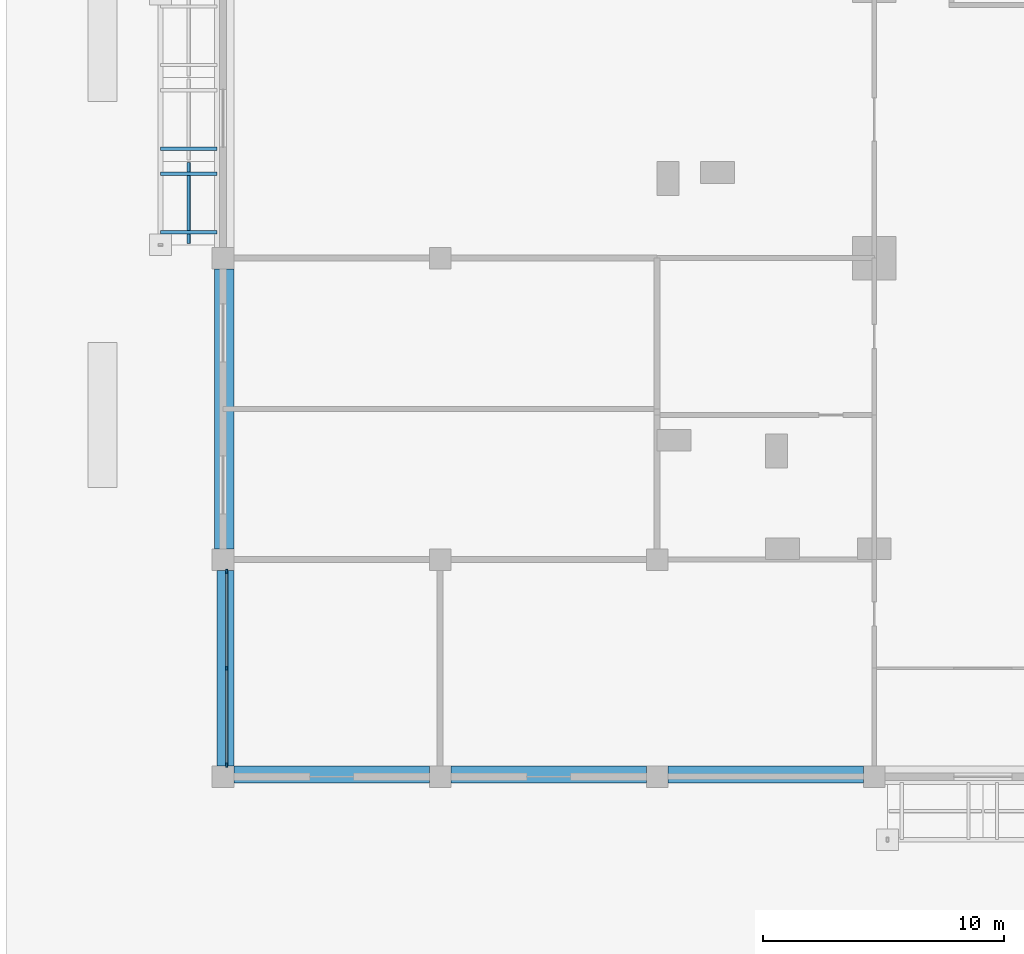
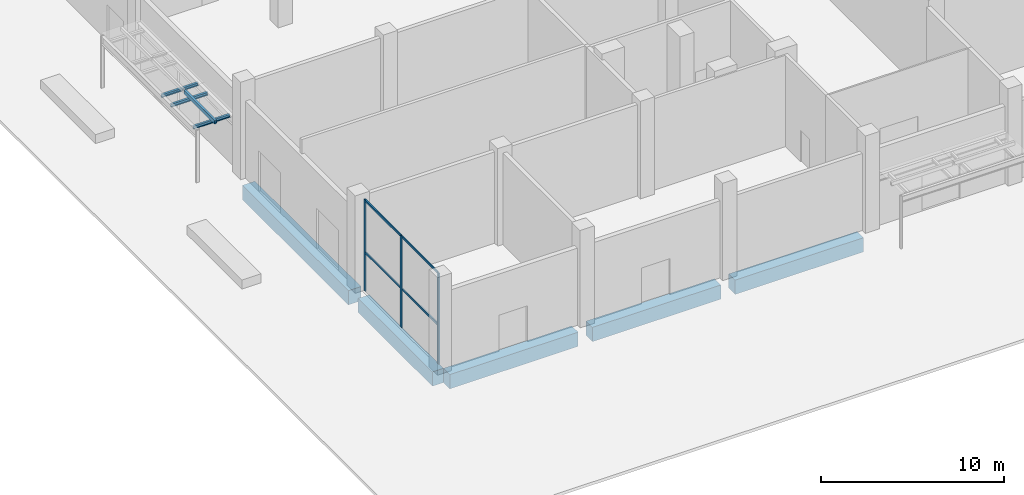
# One storey, part 20 of 39: 8 beams, 8 members, 1 element without a shape of its own.
"""IFC4 building model written with IfcOpenShell, lengths in metres."""

from ifc_helpers import new_model, si_unit, direction, frame, origin, origin_2d, place, context, subcontext, project, spatial, rectangle, hollow_rectangle, i_section, extrude, material, layer, layer_set, material_profile, profile_set, type_object, element, aggregate, save


model = new_model("IFC4")

# Units and contexts
model_context = context("Model", 3, precision=1e-05, world=origin(), true_north=direction((0.0, 1.0)))
body_context = subcontext(model_context, "Body", "Model", "MODEL_VIEW")
ifc_project = project(units=[si_unit("LENGTHUNIT", "METRE"), si_unit("AREAUNIT", "SQUARE_METRE"), si_unit("VOLUMEUNIT", "CUBIC_METRE"), si_unit("PLANEANGLEUNIT", "RADIAN"), si_unit("MASSUNIT", "GRAM", prefix="KILO")], contexts=[model_context])

# Site, building, storey
site_placement = place(None, origin())
site = spatial("IfcSite", under=ifc_project, at=site_placement, CompositionType="ELEMENT")
building_placement = place(site_placement, origin())
building = spatial("IfcBuilding", under=site, at=building_placement, Name="Brigalow Station Residences", CompositionType="ELEMENT")
storey_placement = place(building_placement, origin())
storey = spatial("IfcBuildingStorey", under=building, at=storey_placement, Name="L00", CompositionType="ELEMENT", Elevation=0.0)

# Beams
ifc_material_1 = material(Name="Steel Grade 300 to AS/NZS 3679.1", Category="steel")
ifc_material_profile_1 = material_profile(ifc_material_1, i_section(OverallWidth=0.133056640625, OverallDepth=0.203125, WebThickness=0.005859375, FlangeThickness=0.0078125, FilletRadius=0.0087890625, at=origin_2d()), Name="200UB25.4")
ifc_profile_set_1 = profile_set([ifc_material_profile_1], Name="Steel Grade 300 to AS/NZS 3679.1")
beam_type_1 = type_object("IfcBeamType", Name="CANOPY ARM 200UB25.4", PredefinedType="BEAM", material=ifc_profile_set_1)
for number, where, z_axis, x_axis, name in (
    (1, (-18.259521484375, 13.570068359375, 3.326416015625), (-1.0, 0.0, 0.0), (0.0, -1.0, 0.0), "L00/canopy-arm/W-exit-1-1"),
    (2, (-18.259521484375, 15.99658203125, 3.326416015625), (-1.0, 0.0, 0.0), (0.0, -1.0, 0.0), "L00/canopy-arm/W-exit-1-2"),
    (3, (-18.259521484375, 17.03662109375, 3.326416015625), (-1.0, 0.0, 0.0), (0.0, -1.0, 0.0), "L00/canopy-arm/W-exit-2-1"),
):
    element("IfcBeam", number, at=place(storey_placement, frame(where, z_axis=z_axis, x_axis=x_axis)), inside=storey, type_object=beam_type_1, Name=name, PredefinedType="BEAM", context=body_context, shape_type="SweptSolid", body=[
        extrude(i_section(OverallWidth=0.133056640625, OverallDepth=0.203125, WebThickness=0.005859375, FlangeThickness=0.0078125, FilletRadius=0.0087890625, at=origin_2d()), origin(), (0.0, 0.0, 1.0), 2.330810546875),
    ])

# Member
ifc_material_2 = material(Name="Steel Grade C450L0 to AS/NZS 1163", Category="steel")
ifc_material_profile_2 = material_profile(ifc_material_2, hollow_rectangle(XDim=0.14990234375, YDim=0.25, WallThickness=0.009033203125, InnerFilletRadius=0.013427734375, OuterFilletRadius=0.0224609375, at=origin_2d()), Name="250x150x9.0RHS")
ifc_profile_set_2 = profile_set([ifc_material_profile_2], Name="Steel Grade C450L0 to AS/NZS 1163")
member_type_1 = type_object("IfcMemberType", Name="CANOPY GLAZING RAIL 250x150x9.0RHS", PredefinedType="MEMBER", material=ifc_profile_set_2)
member_1_placement = place(storey_placement, frame((-19.425048828125, 13.110107421875, 3.552978515625), z_axis=(0.0, 1.0, 0.0), x_axis=(-1.0, 0.0, 0.0)))
element("IfcMember", 4, at=member_1_placement, inside=storey, type_object=member_type_1, Name="L00/canopy-rail/W-exit-1", PredefinedType="MEMBER", context=body_context, shape_type="SweptSolid", body=[
    extrude(hollow_rectangle(XDim=0.14990234375, YDim=0.25, WallThickness=0.009033203125, InnerFilletRadius=0.013427734375, OuterFilletRadius=0.0224609375, at=origin_2d()), origin(), (0.0, 0.0, 1.0), 3.3466796875),
])

# Beams
ifc_material_3 = material(Name="Concrete C65", Category="concrete")
ifc_material_profile_3 = material_profile(ifc_material_3, rectangle(XDim=0.699951171875, YDim=0.949951171875, at=origin_2d()), Name="RC700x950")
ifc_profile_set_3 = profile_set([ifc_material_profile_3], Name="Concrete C65")
beam_type_2 = type_object("IfcBeamType", Name="EDGE GIRDER 4.5 TO 9.9 M SPAN 700x950 C65", PredefinedType="BEAM", material=ifc_profile_set_3)
for number, where, z_axis, x_axis, name in (
    (5, (-17.550048828125, -8.89990234375, -0.876953125), (1.0, 0.0, 0.0), (0.0, 1.0, 0.0), "PODIUM EDGE GIRDER S1 L00"),
    (6, (-8.550048828125, -8.89990234375, -0.876953125), (1.0, 0.0, 0.0), (0.0, 1.0, 0.0), "PODIUM EDGE GIRDER S2 L00"),
    (7, (0.449951171875, -8.89990234375, -0.876953125), (1.0, 0.0, 0.0), (0.0, 1.0, 0.0), "PODIUM EDGE GIRDER S3 L00"),
    (8, (-17.89990234375, -8.550048828125, -0.876953125), (0.0, 1.0, 0.0), (-1.0, 0.0, 0.0), "PODIUM EDGE GIRDER W31 L00"),
):
    element("IfcBeam", number, at=place(storey_placement, frame(where, z_axis=z_axis, x_axis=x_axis)), inside=storey, type_object=beam_type_2, Name=name, PredefinedType="BEAM", context=body_context, shape_type="SweptSolid", body=[
        extrude(rectangle(XDim=0.699951171875, YDim=0.949951171875, at=origin_2d()), origin(), (0.0, 0.0, 1.0), 8.10009765625),
    ])
ifc_material_4 = material(Name="Concrete C65", Category="concrete")
ifc_material_profile_4 = material_profile(ifc_material_4, rectangle(XDim=0.800048828125, YDim=0.949951171875, at=origin_2d()), Name="RC800x950")
ifc_profile_set_4 = profile_set([ifc_material_profile_4], Name="Concrete C65")
beam_type_3 = type_object("IfcBeamType", Name="EDGE GIRDER OVER 9.9 M SPAN 800x950 C65", PredefinedType="BEAM", material=ifc_profile_set_4)
beam_placement = place(storey_placement, frame((-17.949951171875, 0.449951171875, -0.876953125), z_axis=(0.0, 1.0, 0.0), x_axis=(-1.0, 0.0, 0.0)))
element("IfcBeam", 9, at=beam_placement, inside=storey, type_object=beam_type_3, Name="PODIUM EDGE GIRDER W32 L00", PredefinedType="BEAM", context=body_context, shape_type="SweptSolid", body=[
    extrude(rectangle(XDim=0.800048828125, YDim=0.949951171875, at=origin_2d()), origin(), (0.0, 0.0, 1.0), 11.60009765625),
])

# Curtain wall, members
ifc_material_5 = material(Name="Aluminium", Category="aluminium")
ifc_layer = layer(ifc_material_5, 0.179931640625)
ifc_layer_set = layer_set([ifc_layer], Name="STATION CONCOURSE SHOPFRONT GLAZING CURTAIN WALL")
curtain_wall_type = type_object("IfcCurtainWallType", Name="STATION CONCOURSE SHOPFRONT GLAZING CURTAIN WALL", PredefinedType="NOTDEFINED", material=ifc_layer_set)
curtain_wall_placement = place(storey_placement, origin())
curtain_wall = element("IfcCurtainWall", 10, at=curtain_wall_placement, inside=storey, type_object=curtain_wall_type, Name="L00/cw/podium-W-L00-31-13", PredefinedType="NOTDEFINED")
ifc_material_6 = material(Name="Aluminium", Category="aluminium")
ifc_material_profile_5 = material_profile(ifc_material_6, rectangle(XDim=0.074951171875, YDim=0.179931640625, at=origin_2d()), Name="STATION CONCOURSE SHOPFRONT GLAZING MULLION 75x180")
ifc_profile_set_5 = profile_set([ifc_material_profile_5], Name="Aluminium")
member_type_2 = type_object("IfcMemberType", Name="STATION CONCOURSE SHOPFRONT GLAZING MULLION 75x180", PredefinedType="MULLION", material=ifc_profile_set_5)
member_2_placement = place(storey_placement, frame((-17.85009765625, -0.487548828125, 0.0), z_axis=(0.0, 0.0, 1.0), x_axis=(1.0, 0.0, 0.0)))
member_2 = element("IfcMember", 11, at=member_2_placement, type_object=member_type_2, Name="L00/cw/podium-W-L00-31-13/M00", PredefinedType="MULLION", context=body_context, shape_type="SweptSolid", body=[
    extrude(rectangle(XDim=0.074951171875, YDim=0.179931640625, at=origin_2d()), origin(), (0.0, 0.0, 1.0), 6.097900390625),
])
member_3_placement = place(storey_placement, frame((-17.85009765625, -4.5, 0.0), z_axis=(0.0, 0.0, 1.0), x_axis=(1.0, 0.0, 0.0)))
member_3 = element("IfcMember", 12, at=member_3_placement, type_object=member_type_2, Name="L00/cw/podium-W-L00-31-13/M01", PredefinedType="MULLION", context=body_context, shape_type="SweptSolid", body=[
    extrude(rectangle(XDim=0.074951171875, YDim=0.179931640625, at=origin_2d()), origin(), (0.0, 0.0, 1.0), 6.097900390625),
])
member_4_placement = place(storey_placement, frame((-17.85009765625, -8.512451171875, 0.0), z_axis=(0.0, 0.0, 1.0), x_axis=(1.0, 0.0, 0.0)))
member_4 = element("IfcMember", 13, at=member_4_placement, type_object=member_type_2, Name="L00/cw/podium-W-L00-31-13/M02", PredefinedType="MULLION", context=body_context, shape_type="SweptSolid", body=[
    extrude(rectangle(XDim=0.074951171875, YDim=0.179931640625, at=origin_2d()), origin(), (0.0, 0.0, 1.0), 6.097900390625),
])
ifc_material_7 = material(Name="Aluminium", Category="aluminium")
ifc_material_profile_6 = material_profile(ifc_material_7, rectangle(XDim=0.074951171875, YDim=0.139892578125, at=origin_2d()), Name="STATION CONCOURSE SHOPFRONT GLAZING TRANSOM 75x140")
ifc_profile_set_6 = profile_set([ifc_material_profile_6], Name="Aluminium")
member_type_3 = type_object("IfcMemberType", Name="STATION CONCOURSE SHOPFRONT GLAZING TRANSOM 75x140", PredefinedType="USERDEFINED", material=ifc_profile_set_6)
member_5_placement = place(storey_placement, frame((-17.85009765625, -0.52490234375, 2.60009765625), z_axis=(0.0, -1.0, 0.0), x_axis=(1.0, 0.0, 0.0)))
member_5 = element("IfcMember", 14, at=member_5_placement, type_object=member_type_3, Name="L00/cw/podium-W-L00-31-13/T00-00", ObjectType="TRANSOM", PredefinedType="USERDEFINED", context=body_context, shape_type="SweptSolid", body=[
    extrude(rectangle(XDim=0.074951171875, YDim=0.139892578125, at=origin_2d()), origin(), (0.0, 0.0, 1.0), 3.9375),
])
member_6_placement = place(storey_placement, frame((-17.85009765625, -0.52490234375, 6.060546875), z_axis=(0.0, -1.0, 0.0), x_axis=(1.0, 0.0, 0.0)))
member_6 = element("IfcMember", 15, at=member_6_placement, type_object=member_type_3, Name="L00/cw/podium-W-L00-31-13/T00-01", ObjectType="TRANSOM", PredefinedType="USERDEFINED", context=body_context, shape_type="SweptSolid", body=[
    extrude(rectangle(XDim=0.074951171875, YDim=0.139892578125, at=origin_2d()), origin(), (0.0, 0.0, 1.0), 3.9375),
])
member_7_placement = place(storey_placement, frame((-17.85009765625, -4.53759765625, 2.60009765625), z_axis=(0.0, -1.0, 0.0), x_axis=(1.0, 0.0, 0.0)))
member_7 = element("IfcMember", 16, at=member_7_placement, type_object=member_type_3, Name="L00/cw/podium-W-L00-31-13/T01-00", ObjectType="TRANSOM", PredefinedType="USERDEFINED", context=body_context, shape_type="SweptSolid", body=[
    extrude(rectangle(XDim=0.074951171875, YDim=0.139892578125, at=origin_2d()), origin(), (0.0, 0.0, 1.0), 3.9375),
])
member_8_placement = place(storey_placement, frame((-17.85009765625, -4.53759765625, 6.060546875), z_axis=(0.0, -1.0, 0.0), x_axis=(1.0, 0.0, 0.0)))
member_8 = element("IfcMember", 17, at=member_8_placement, type_object=member_type_3, Name="L00/cw/podium-W-L00-31-13/T01-01", ObjectType="TRANSOM", PredefinedType="USERDEFINED", context=body_context, shape_type="SweptSolid", body=[
    extrude(rectangle(XDim=0.074951171875, YDim=0.139892578125, at=origin_2d()), origin(), (0.0, 0.0, 1.0), 3.9375),
])
aggregate(curtain_wall, [member_2, member_3, member_4, member_5, member_6, member_7, member_8])

save(model, "model.ifc")
